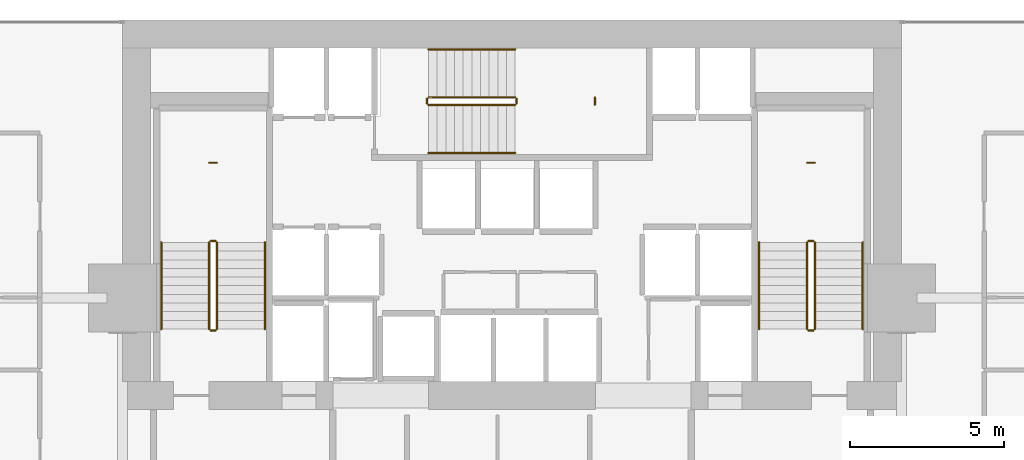
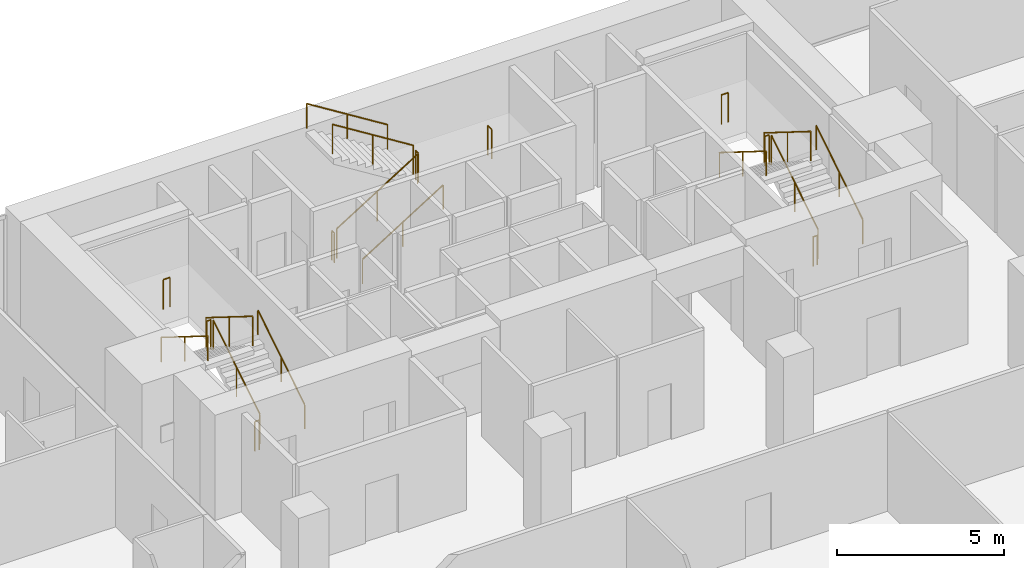
# One storey, part 40 of 40: 21 railings.
"""IFC4 building model written with IfcOpenShell, lengths in metres."""

import ifcopenshell
import ifcopenshell.guid

model = None  # the IFC model being written
_history = None  # IfcOwnerHistory: only IFC2X3 demands one
_inside = {}  # id of a spatial element -> (the spatial element, [elements in it])
_under = {}  # id of a project, library or spatial element -> (it, [spatial elements below it])
_declared = {}  # id of a project -> (the project, [libraries it declares])
_typed = {}  # id of a type object -> (the type object, [elements of that type])
_made_of = {}  # id of a material, layer set ... -> (it, [elements and type objects made of it])


def new_model(schema):
    """Start an empty IFC model of exactly this schema.

    Asked for "IFC4X3", IfcOpenShell would pick the latest addendum, in which some entities
    have other attributes; the version numbers below select the first issue.
    IFC2X3 requires an IfcOwnerHistory on every rooted entity: one is made here for all.
    """
    global model, _history
    if schema == "IFC4X3":
        model = ifcopenshell.file(schema_version=(4, 3, 0, 0))
    else:
        model = ifcopenshell.file(schema=schema)
    _inside.clear()
    _under.clear()
    _declared.clear()
    _typed.clear()
    _made_of.clear()
    _history = None
    if model.schema == "IFC2X3":
        org = make("IfcOrganization", Name="unknown")
        user = make(
            "IfcPersonAndOrganization",
            ThePerson=make("IfcPerson", FamilyName="unknown"),
            TheOrganization=org,
        )
        app = make(
            "IfcApplication",
            ApplicationDeveloper=org,
            Version="unknown",
            ApplicationFullName="unknown",
            ApplicationIdentifier="unknown",
        )
        _history = make(
            "IfcOwnerHistory",
            OwningUser=user,
            OwningApplication=app,
            ChangeAction="ADDED",
            CreationDate=0,
        )
    return model


def make(cls, **values):
    """One entity of the class cls with the attributes given. An attribute that is None is left unset."""
    return model.create_entity(
        cls, **{name: value for name, value in values.items() if value is not None}
    )


def rooted(cls, **values):
    """An entity with a GlobalId (a new one), such as an element, a storey or a relation."""
    return make(cls, GlobalId=ifcopenshell.guid.new(), OwnerHistory=_history, **values)


def si_unit(unit_type, name, prefix=None):
    """IfcSIUnit, for example si_unit("LENGTHUNIT", "METRE", prefix="MILLI")."""
    return make("IfcSIUnit", UnitType=unit_type, Prefix=prefix, Name=name)


def assignment(units):
    """IfcUnitAssignment: the units of a project."""
    return None if units is None else make("IfcUnitAssignment", Units=units)


def point(xyz):
    """IfcCartesianPoint."""
    return None if xyz is None else make("IfcCartesianPoint", Coordinates=xyz)


def direction(xyz):
    """IfcDirection."""
    return None if xyz is None else make("IfcDirection", DirectionRatios=xyz)


def frame(location, z_axis=None, x_axis=None):
    """IfcAxis2Placement3D, a coordinate frame: its origin and axes. An axis left out is left unset."""
    return make(
        "IfcAxis2Placement3D",
        Location=point(location),
        Axis=direction(z_axis),
        RefDirection=direction(x_axis),
    )


def frame_2d(location, x_axis=None):
    """IfcAxis2Placement2D, a coordinate frame in the plane: its origin and x axis."""
    return make(
        "IfcAxis2Placement2D", Location=point(location), RefDirection=direction(x_axis)
    )


def origin():
    """The frame at (0, 0, 0) with its axes left unset."""
    return frame((0.0, 0.0, 0.0))


def origin_2d():
    """The frame at (0, 0) in the plane with its x axis left unset."""
    return frame_2d((0.0, 0.0))


def place(relative_to, where):
    """IfcLocalPlacement: puts the frame where relative to a parent placement (None: the world)."""
    return make(
        "IfcLocalPlacement", PlacementRelTo=relative_to, RelativePlacement=where
    )


def context(
    kind, dimensions, precision=None, world=None, true_north=None, identifier=None
):
    """IfcGeometricRepresentationContext, for example the 3D "Model" context."""
    return make(
        "IfcGeometricRepresentationContext",
        ContextIdentifier=identifier,
        ContextType=kind,
        CoordinateSpaceDimension=dimensions,
        Precision=precision,
        WorldCoordinateSystem=world,
        TrueNorth=true_north,
    )


def subcontext(parent, identifier, kind, view, scale=None):
    """IfcGeometricRepresentationSubContext, for example "Body" below "Model"."""
    return make(
        "IfcGeometricRepresentationSubContext",
        ContextIdentifier=identifier,
        ContextType=kind,
        ParentContext=parent,
        TargetScale=scale,
        TargetView=view,
    )


def project(units=None, contexts=None):
    """IfcProject with its units and contexts."""
    return rooted(
        "IfcProject",
        Name="project",
        RepresentationContexts=contexts,
        UnitsInContext=assignment(units),
    )


def spatial(cls, under=None, at=None, **own):
    """A site, building, storey or space (cls), placed at a placement, below another one or the project."""
    s = rooted(cls, ObjectPlacement=at, **own)
    if under is not None:
        _under.setdefault(under.id(), (under, []))[1].append(s)
    return s


def profile(cls, at=None, kind="AREA", **sizes):
    """A parametric profile (cls). Its sizes go by their IFC names, for example OverallWidth=200.0."""
    return make(cls, ProfileType=kind, Position=at, **sizes)


def circle(**sizes):
    """IfcCircleProfileDef."""
    return profile("IfcCircleProfileDef", **sizes)


def extrude(swept, where, along, depth):
    """IfcExtrudedAreaSolid: the profile swept, set in the frame where, extruded along a direction by depth."""
    return make(
        "IfcExtrudedAreaSolid",
        SweptArea=swept,
        Position=where,
        ExtrudedDirection=direction(along),
        Depth=depth,
    )


def shape(context_of_items, identifier, shape_type, items):
    """IfcShapeRepresentation: the items that make up one representation, for example the "Body"."""
    return make(
        "IfcShapeRepresentation",
        ContextOfItems=context_of_items,
        RepresentationIdentifier=identifier,
        RepresentationType=shape_type,
        Items=items,
    )


def material(Name=None, Category=None):
    """IfcMaterial."""
    return make("IfcMaterial", Name=Name, Category=Category)


def made_of(thing, what):
    """Note that an element or type object is made of a material, layer set ...; save() writes the relation."""
    if what is not None:
        _made_of.setdefault(what.id(), (what, []))[1].append(thing)
    return thing


def type_object(cls, material=None, **own):
    """A type object (cls), such as IfcWallType, which elements share."""
    return made_of(rooted(cls, **own), material)


def element(
    cls,
    number,
    at=None,
    inside=None,
    cuts=None,
    type_object=None,
    material=None,
    context=None,
    identifier="Body",
    shape_type=None,
    held_by="IfcProductDefinitionShape",
    body=None,
    shapes=None,
    **own,
):
    """One element of the class cls, such as IfcWall. Its Tag is "e" and its number.

    at: its placement. inside: the storey or other place that contains it. cuts: it is an
    opening in that element (IfcRelVoidsElement). A single representation is given by context,
    identifier, shape_type and body (its items); several are given by shapes. held_by: the class
    of the entity that holds the representations. save() writes the other relations.
    """
    e = rooted(cls, Tag="e%d" % number, ObjectPlacement=at, **own)
    if body is not None:
        shapes = [shape(context, identifier, shape_type, body)]
    if shapes is not None:
        e.Representation = make(held_by, Representations=shapes)
    if inside is not None:
        _inside.setdefault(inside.id(), (inside, []))[1].append(e)
    if cuts is not None:
        rooted(
            "IfcRelVoidsElement", RelatingBuildingElement=cuts, RelatedOpeningElement=e
        )
    if type_object is not None:
        _typed.setdefault(type_object.id(), (type_object, []))[1].append(e)
    return made_of(e, material)


def aggregate(whole, parts):
    """IfcRelAggregates: a whole, such as a stair, and the parts it consists of."""
    return rooted("IfcRelAggregates", RelatingObject=whole, RelatedObjects=parts)


def save(model, path):
    """Write the relations noted so far, then the file.

    IfcRelAggregates (storeys below a building ...), IfcRelContainedInSpatialStructure (elements
    in a storey), IfcRelDefinesByType, IfcRelAssociatesMaterial and IfcRelDeclares: one each for
    every whole, place, type object, material and project.
    """
    for whole, parts in _under.values():
        aggregate(whole, parts)
    for where, things in _inside.values():
        rooted(
            "IfcRelContainedInSpatialStructure",
            RelatedElements=things,
            RelatingStructure=where,
        )
    for kind, things in _typed.values():
        rooted("IfcRelDefinesByType", RelatedObjects=things, RelatingType=kind)
    for what, things in _made_of.values():
        rooted("IfcRelAssociatesMaterial", RelatedObjects=things, RelatingMaterial=what)
    for by, libraries in _declared.values():
        rooted("IfcRelDeclares", RelatingContext=by, RelatedDefinitions=libraries)
    model.write(path)


model = new_model("IFC4")

# Units and contexts
model_context = context("Model", 3, precision=1e-05, world=origin(), true_north=direction((0.0, 1.0)))
body_context = subcontext(model_context, "Body", "Model", "MODEL_VIEW")
ifc_project = project(units=[si_unit("LENGTHUNIT", "METRE"), si_unit("AREAUNIT", "SQUARE_METRE"), si_unit("VOLUMEUNIT", "CUBIC_METRE"), si_unit("PLANEANGLEUNIT", "RADIAN"), si_unit("MASSUNIT", "GRAM", prefix="KILO")], contexts=[model_context])

# Site, building, storey
site_placement = place(None, origin())
site = spatial("IfcSite", under=ifc_project, at=site_placement, CompositionType="ELEMENT")
building_placement = place(site_placement, origin())
building = spatial("IfcBuilding", under=site, at=building_placement, Name="Maruvema Waterfront Hotel and Observation Tower", CompositionType="ELEMENT")
storey_placement = place(building_placement, frame((0.0, 0.0, 38.5)))
storey = spatial("IfcBuildingStorey", under=building, at=storey_placement, Name="L08", CompositionType="ELEMENT", Elevation=38.5)

# Railings
ifc_material_1 = material(Name="Brushed stainless steel Grade 316", Category="steel")
railing_type_1 = type_object("IfcRailingType", Name="Ramp Continuous Wall Handrail 920 mm", PredefinedType="HANDRAIL", material=ifc_material_1)
railing_1_placement = place(storey_placement, frame((29.800048828125, 44.0, 0.175048828125)))
element("IfcRailing", 1, at=railing_1_placement, inside=storey, type_object=railing_type_1, Name="L08 ST-01 stair handrail 1", PredefinedType="HANDRAIL", context=body_context, shape_type="SweptSolid", body=[
    extrude(circle(Radius=0.02392578125, at=origin_2d()), frame((0.0, 0.0, 0.89599609375), z_axis=(0.0, 0.848002457836, 0.529992293815), x_axis=(-1.0, 0.0, 0.0)), (0.0, 0.0, 1.0), 3.302001953125),
    extrude(circle(Radius=0.02099609375, at=origin_2d()), origin(), (0.0, 0.0, 1.0), 0.871826171875),
    extrude(circle(Radius=0.02099609375, at=origin_2d()), frame((0.0, 1.39990234375, 0.875)), (0.0, 0.0, 1.0), 0.871826171875),
    extrude(circle(Radius=0.02099609375, at=origin_2d()), frame((0.0, 2.800048828125, 1.75)), (0.0, 0.0, 1.0), 0.871826171875),
])
railing_2_placement = place(storey_placement, frame((26.449951171875, 46.800048828125, 2.10009765625)))
element("IfcRailing", 2, at=railing_2_placement, inside=storey, type_object=railing_type_1, Name="L08 ST-01 stair handrail 2", PredefinedType="HANDRAIL", context=body_context, shape_type="SweptSolid", body=[
    extrude(circle(Radius=0.02392578125, at=origin_2d()), frame((0.0, 0.0, 0.89599609375), z_axis=(0.0, -0.848002457836, 0.529992293815), x_axis=(1.0, 0.0, 0.0)), (0.0, 0.0, 1.0), 3.302001953125),
    extrude(circle(Radius=0.02099609375, at=origin_2d()), origin(), (0.0, 0.0, 1.0), 0.871826171875),
    extrude(circle(Radius=0.02099609375, at=origin_2d()), frame((0.0, -1.39990234375, 0.875)), (0.0, 0.0, 1.0), 0.871826171875),
    extrude(circle(Radius=0.02099609375, at=origin_2d()), frame((0.0, -2.800048828125, 1.75)), (0.0, 0.0, 1.0), 0.871826171875),
])
railing_3_placement = place(storey_placement, frame((35.10009765625, 49.699951171875, 0.175048828125)))
element("IfcRailing", 3, at=railing_3_placement, inside=storey, type_object=railing_type_1, Name="L08 ST-02 stair handrail 1", PredefinedType="HANDRAIL", context=body_context, shape_type="SweptSolid", body=[
    extrude(circle(Radius=0.02392578125, at=origin_2d()), frame((0.0, 0.0, 0.89599609375), z_axis=(0.847981687118, 0.0, 0.530025526095), x_axis=(0.0, 1.0, 0.0)), (0.0, 0.0, 1.0), 3.3017578125),
    extrude(circle(Radius=0.02099609375, at=origin_2d()), origin(), (0.0, 0.0, 1.0), 0.871826171875),
    extrude(circle(Radius=0.02099609375, at=origin_2d()), frame((1.39990234375, 0.0, 0.875)), (0.0, 0.0, 1.0), 0.871826171875),
    extrude(circle(Radius=0.02099609375, at=origin_2d()), frame((2.7998046875, 0.0, 1.75)), (0.0, 0.0, 1.0), 0.871826171875),
])
railing_4_placement = place(storey_placement, frame((37.89990234375, 53.050048828125, 2.10009765625)))
element("IfcRailing", 4, at=railing_4_placement, inside=storey, type_object=railing_type_1, Name="L08 ST-02 stair handrail 2", PredefinedType="HANDRAIL", context=body_context, shape_type="SweptSolid", body=[
    extrude(circle(Radius=0.02392578125, at=origin_2d()), frame((0.0, 0.0, 0.89599609375), z_axis=(-0.847981687118, 0.0, 0.530025526095), x_axis=(0.0, -1.0, 0.0)), (0.0, 0.0, 1.0), 3.3017578125),
    extrude(circle(Radius=0.02099609375, at=origin_2d()), origin(), (0.0, 0.0, 1.0), 0.871826171875),
    extrude(circle(Radius=0.02099609375, at=origin_2d()), frame((-1.39990234375, 0.0, 0.875)), (0.0, 0.0, 1.0), 0.871826171875),
    extrude(circle(Radius=0.02099609375, at=origin_2d()), frame((-2.7998046875, 0.0, 1.75)), (0.0, 0.0, 1.0), 0.871826171875),
])
railing_5_placement = place(storey_placement, frame((49.14990234375, 44.0, 0.175048828125)))
element("IfcRailing", 5, at=railing_5_placement, inside=storey, type_object=railing_type_1, Name="L08 ST-03 stair handrail 1", PredefinedType="HANDRAIL", context=body_context, shape_type="SweptSolid", body=[
    extrude(circle(Radius=0.02392578125, at=origin_2d()), frame((0.0, 0.0, 0.89599609375), z_axis=(0.0, 0.848002457836, 0.529992293815), x_axis=(-1.0, 0.0, 0.0)), (0.0, 0.0, 1.0), 3.302001953125),
    extrude(circle(Radius=0.02099609375, at=origin_2d()), origin(), (0.0, 0.0, 1.0), 0.871826171875),
    extrude(circle(Radius=0.02099609375, at=origin_2d()), frame((0.0, 1.39990234375, 0.875)), (0.0, 0.0, 1.0), 0.871826171875),
    extrude(circle(Radius=0.02099609375, at=origin_2d()), frame((0.0, 2.800048828125, 1.75)), (0.0, 0.0, 1.0), 0.871826171875),
])
railing_6_placement = place(storey_placement, frame((45.800048828125, 46.800048828125, 2.10009765625)))
element("IfcRailing", 6, at=railing_6_placement, inside=storey, type_object=railing_type_1, Name="L08 ST-03 stair handrail 2", PredefinedType="HANDRAIL", context=body_context, shape_type="SweptSolid", body=[
    extrude(circle(Radius=0.02392578125, at=origin_2d()), frame((0.0, 0.0, 0.89599609375), z_axis=(0.0, -0.848002457836, 0.529992293815), x_axis=(1.0, 0.0, 0.0)), (0.0, 0.0, 1.0), 3.302001953125),
    extrude(circle(Radius=0.02099609375, at=origin_2d()), origin(), (0.0, 0.0, 1.0), 0.871826171875),
    extrude(circle(Radius=0.02099609375, at=origin_2d()), frame((0.0, -1.39990234375, 0.875)), (0.0, 0.0, 1.0), 0.871826171875),
    extrude(circle(Radius=0.02099609375, at=origin_2d()), frame((0.0, -2.800048828125, 1.75)), (0.0, 0.0, 1.0), 0.871826171875),
])
ifc_material_2 = material(Name="Brushed stainless steel Grade 316", Category="steel")
railing_type_2 = type_object("IfcRailingType", Name="Ramp and Terrace Guard Balustrade 1100 mm", PredefinedType="BALUSTRADE", material=ifc_material_2)
railing_7_placement = place(storey_placement, frame((28.25, 44.0, 0.175048828125)))
element("IfcRailing", 7, at=railing_7_placement, inside=storey, type_object=railing_type_2, Name="L08 ST-01 stair guard 1", PredefinedType="BALUSTRADE", context=body_context, shape_type="SweptSolid", body=[
    extrude(circle(Radius=0.02392578125, at=origin_2d()), frame((0.0, 0.0, 1.076171875), z_axis=(0.0, 0.848002457836, 0.529992293815), x_axis=(-1.0, 0.0, 0.0)), (0.0, 0.0, 1.0), 3.302001953125),
    extrude(circle(Radius=0.02099609375, at=origin_2d()), origin(), (0.0, 0.0, 1.0), 1.052001953125),
    extrude(circle(Radius=0.02099609375, at=origin_2d()), frame((0.0, 1.39990234375, 0.875)), (0.0, 0.0, 1.0), 1.052001953125),
    extrude(circle(Radius=0.02099609375, at=origin_2d()), frame((0.0, 2.800048828125, 1.75)), (0.0, 0.0, 1.0), 1.052001953125),
])
railing_8_placement = place(storey_placement, frame((28.199951171875, 46.85009765625, 1.925048828125)))
element("IfcRailing", 8, at=railing_8_placement, inside=storey, type_object=railing_type_2, Name="L08 ST-01 stair guard 2", PredefinedType="BALUSTRADE", context=body_context, shape_type="SweptSolid", body=[
    extrude(circle(Radius=0.02392578125, at=origin_2d()), frame((0.0, 0.0, 1.076171875), z_axis=(-1.0, 0.0, 0.0), x_axis=(0.0, -1.0, 0.0)), (0.0, 0.0, 1.0), 0.14990234375),
    extrude(circle(Radius=0.02099609375, at=origin_2d()), origin(), (0.0, 0.0, 1.0), 1.052001953125),
    extrude(circle(Radius=0.02099609375, at=origin_2d()), frame((-0.14990234375, 0.0, 0.0)), (0.0, 0.0, 1.0), 1.052001953125),
])
railing_9_placement = place(storey_placement, frame((28.0, 46.800048828125, 2.10009765625)))
element("IfcRailing", 9, at=railing_9_placement, inside=storey, type_object=railing_type_2, Name="L08 ST-01 stair guard 3", PredefinedType="BALUSTRADE", context=body_context, shape_type="SweptSolid", body=[
    extrude(circle(Radius=0.02392578125, at=origin_2d()), frame((0.0, 0.0, 1.076171875), z_axis=(0.0, -0.848002457836, 0.529992293815), x_axis=(1.0, 0.0, 0.0)), (0.0, 0.0, 1.0), 3.302001953125),
    extrude(circle(Radius=0.02099609375, at=origin_2d()), origin(), (0.0, 0.0, 1.0), 1.052001953125),
    extrude(circle(Radius=0.02099609375, at=origin_2d()), frame((0.0, -1.39990234375, 0.875)), (0.0, 0.0, 1.0), 1.052001953125),
    extrude(circle(Radius=0.02099609375, at=origin_2d()), frame((0.0, -2.800048828125, 1.75)), (0.0, 0.0, 1.0), 1.052001953125),
])
railing_10_placement = place(storey_placement, frame((28.199951171875, 43.949951171875, 0.0)))
element("IfcRailing", 10, at=railing_10_placement, inside=storey, type_object=railing_type_2, Name="L08 ST-01 stair guard 4", PredefinedType="BALUSTRADE", context=body_context, shape_type="SweptSolid", body=[
    extrude(circle(Radius=0.02392578125, at=origin_2d()), frame((0.0, 0.0, 1.076171875), z_axis=(-1.0, 0.0, 0.0), x_axis=(0.0, -1.0, 0.0)), (0.0, 0.0, 1.0), 0.14990234375),
    extrude(circle(Radius=0.02099609375, at=origin_2d()), origin(), (0.0, 0.0, 1.0), 1.052001953125),
    extrude(circle(Radius=0.02099609375, at=origin_2d()), frame((-0.14990234375, 0.0, 0.0)), (0.0, 0.0, 1.0), 1.052001953125),
])
railing_11_placement = place(storey_placement, frame((28.239990234375, 49.3798828125, 1.925048828125)))
element("IfcRailing", 11, at=railing_11_placement, inside=storey, type_object=railing_type_2, Name="L08 ST-01 Half-Landing Slot Guard", PredefinedType="BALUSTRADE", context=body_context, shape_type="SweptSolid", body=[
    extrude(circle(Radius=0.02392578125, at=origin_2d()), frame((0.0, 0.0, 1.076171875), z_axis=(-1.0, 0.0, 0.0), x_axis=(0.0, -1.0, 0.0)), (0.0, 0.0, 1.0), 0.22998046875),
    extrude(circle(Radius=0.02099609375, at=origin_2d()), origin(), (0.0, 0.0, 1.0), 1.052001953125),
    extrude(circle(Radius=0.02099609375, at=origin_2d()), frame((-0.22998046875, 0.0, 0.0)), (0.0, 0.0, 1.0), 1.052001953125),
])
railing_12_placement = place(storey_placement, frame((35.10009765625, 51.25, 0.175048828125)))
element("IfcRailing", 12, at=railing_12_placement, inside=storey, type_object=railing_type_2, Name="L08 ST-02 stair guard 1", PredefinedType="BALUSTRADE", context=body_context, shape_type="SweptSolid", body=[
    extrude(circle(Radius=0.02392578125, at=origin_2d()), frame((0.0, 0.0, 1.076171875), z_axis=(0.847981687118, 0.0, 0.530025526095), x_axis=(0.0, 1.0, 0.0)), (0.0, 0.0, 1.0), 3.3017578125),
    extrude(circle(Radius=0.02099609375, at=origin_2d()), origin(), (0.0, 0.0, 1.0), 1.052001953125),
    extrude(circle(Radius=0.02099609375, at=origin_2d()), frame((1.39990234375, 0.0, 0.875)), (0.0, 0.0, 1.0), 1.052001953125),
    extrude(circle(Radius=0.02099609375, at=origin_2d()), frame((2.7998046875, 0.0, 1.75)), (0.0, 0.0, 1.0), 1.052001953125),
])
railing_13_placement = place(storey_placement, frame((37.949951171875, 51.300048828125, 1.925048828125)))
element("IfcRailing", 13, at=railing_13_placement, inside=storey, type_object=railing_type_2, Name="L08 ST-02 stair guard 2", PredefinedType="BALUSTRADE", context=body_context, shape_type="SweptSolid", body=[
    extrude(circle(Radius=0.02392578125, at=origin_2d()), frame((0.0, 0.0, 1.076171875), z_axis=(0.0, 1.0, 0.0), x_axis=(-1.0, 0.0, 0.0)), (0.0, 0.0, 1.0), 0.14990234375),
    extrude(circle(Radius=0.02099609375, at=origin_2d()), origin(), (0.0, 0.0, 1.0), 1.052001953125),
    extrude(circle(Radius=0.02099609375, at=origin_2d()), frame((0.0, 0.14990234375, 0.0)), (0.0, 0.0, 1.0), 1.052001953125),
])
railing_14_placement = place(storey_placement, frame((37.89990234375, 51.5, 2.10009765625)))
element("IfcRailing", 14, at=railing_14_placement, inside=storey, type_object=railing_type_2, Name="L08 ST-02 stair guard 3", PredefinedType="BALUSTRADE", context=body_context, shape_type="SweptSolid", body=[
    extrude(circle(Radius=0.02392578125, at=origin_2d()), frame((0.0, 0.0, 1.076171875), z_axis=(-0.847981687118, 0.0, 0.530025526095), x_axis=(0.0, -1.0, 0.0)), (0.0, 0.0, 1.0), 3.3017578125),
    extrude(circle(Radius=0.02099609375, at=origin_2d()), origin(), (0.0, 0.0, 1.0), 1.052001953125),
    extrude(circle(Radius=0.02099609375, at=origin_2d()), frame((-1.39990234375, 0.0, 0.875)), (0.0, 0.0, 1.0), 1.052001953125),
    extrude(circle(Radius=0.02099609375, at=origin_2d()), frame((-2.7998046875, 0.0, 1.75)), (0.0, 0.0, 1.0), 1.052001953125),
])
railing_15_placement = place(storey_placement, frame((35.050048828125, 51.300048828125, 0.0)))
element("IfcRailing", 15, at=railing_15_placement, inside=storey, type_object=railing_type_2, Name="L08 ST-02 stair guard 4", PredefinedType="BALUSTRADE", context=body_context, shape_type="SweptSolid", body=[
    extrude(circle(Radius=0.02392578125, at=origin_2d()), frame((0.0, 0.0, 1.076171875), z_axis=(0.0, 1.0, 0.0), x_axis=(-1.0, 0.0, 0.0)), (0.0, 0.0, 1.0), 0.14990234375),
    extrude(circle(Radius=0.02099609375, at=origin_2d()), origin(), (0.0, 0.0, 1.0), 1.052001953125),
    extrude(circle(Radius=0.02099609375, at=origin_2d()), frame((0.0, 0.14990234375, 0.0)), (0.0, 0.0, 1.0), 1.052001953125),
])
railing_16_placement = place(storey_placement, frame((40.47998046875, 51.260009765625, 1.925048828125)))
element("IfcRailing", 16, at=railing_16_placement, inside=storey, type_object=railing_type_2, Name="L08 ST-02 Half-Landing Slot Guard", PredefinedType="BALUSTRADE", context=body_context, shape_type="SweptSolid", body=[
    extrude(circle(Radius=0.02392578125, at=origin_2d()), frame((0.0, 0.0, 1.076171875), z_axis=(0.0, 1.0, 0.0), x_axis=(-1.0, 0.0, 0.0)), (0.0, 0.0, 1.0), 0.22998046875),
    extrude(circle(Radius=0.02099609375, at=origin_2d()), origin(), (0.0, 0.0, 1.0), 1.052001953125),
    extrude(circle(Radius=0.02099609375, at=origin_2d()), frame((0.0, 0.22998046875, 0.0)), (0.0, 0.0, 1.0), 1.052001953125),
])
railing_17_placement = place(storey_placement, frame((47.60009765625, 44.0, 0.175048828125)))
element("IfcRailing", 17, at=railing_17_placement, inside=storey, type_object=railing_type_2, Name="L08 ST-03 stair guard 1", PredefinedType="BALUSTRADE", context=body_context, shape_type="SweptSolid", body=[
    extrude(circle(Radius=0.02392578125, at=origin_2d()), frame((0.0, 0.0, 1.076171875), z_axis=(0.0, 0.848002457836, 0.529992293815), x_axis=(-1.0, 0.0, 0.0)), (0.0, 0.0, 1.0), 3.302001953125),
    extrude(circle(Radius=0.02099609375, at=origin_2d()), origin(), (0.0, 0.0, 1.0), 1.052001953125),
    extrude(circle(Radius=0.02099609375, at=origin_2d()), frame((0.0, 1.39990234375, 0.875)), (0.0, 0.0, 1.0), 1.052001953125),
    extrude(circle(Radius=0.02099609375, at=origin_2d()), frame((0.0, 2.800048828125, 1.75)), (0.0, 0.0, 1.0), 1.052001953125),
])
railing_18_placement = place(storey_placement, frame((47.550048828125, 46.85009765625, 1.925048828125)))
element("IfcRailing", 18, at=railing_18_placement, inside=storey, type_object=railing_type_2, Name="L08 ST-03 stair guard 2", PredefinedType="BALUSTRADE", context=body_context, shape_type="SweptSolid", body=[
    extrude(circle(Radius=0.02392578125, at=origin_2d()), frame((0.0, 0.0, 1.076171875), z_axis=(-1.0, 0.0, 0.0), x_axis=(0.0, -1.0, 0.0)), (0.0, 0.0, 1.0), 0.150146484375),
    extrude(circle(Radius=0.02099609375, at=origin_2d()), origin(), (0.0, 0.0, 1.0), 1.052001953125),
    extrude(circle(Radius=0.02099609375, at=origin_2d()), frame((-0.150146484375, 0.0, 0.0)), (0.0, 0.0, 1.0), 1.052001953125),
])
railing_19_placement = place(storey_placement, frame((47.35009765625, 46.800048828125, 2.10009765625)))
element("IfcRailing", 19, at=railing_19_placement, inside=storey, type_object=railing_type_2, Name="L08 ST-03 stair guard 3", PredefinedType="BALUSTRADE", context=body_context, shape_type="SweptSolid", body=[
    extrude(circle(Radius=0.02392578125, at=origin_2d()), frame((0.0, 0.0, 1.076171875), z_axis=(0.0, -0.848002457836, 0.529992293815), x_axis=(1.0, 0.0, 0.0)), (0.0, 0.0, 1.0), 3.302001953125),
    extrude(circle(Radius=0.02099609375, at=origin_2d()), origin(), (0.0, 0.0, 1.0), 1.052001953125),
    extrude(circle(Radius=0.02099609375, at=origin_2d()), frame((0.0, -1.39990234375, 0.875)), (0.0, 0.0, 1.0), 1.052001953125),
    extrude(circle(Radius=0.02099609375, at=origin_2d()), frame((0.0, -2.800048828125, 1.75)), (0.0, 0.0, 1.0), 1.052001953125),
])
railing_20_placement = place(storey_placement, frame((47.550048828125, 43.949951171875, 0.0)))
element("IfcRailing", 20, at=railing_20_placement, inside=storey, type_object=railing_type_2, Name="L08 ST-03 stair guard 4", PredefinedType="BALUSTRADE", context=body_context, shape_type="SweptSolid", body=[
    extrude(circle(Radius=0.02392578125, at=origin_2d()), frame((0.0, 0.0, 1.076171875), z_axis=(-1.0, 0.0, 0.0), x_axis=(0.0, -1.0, 0.0)), (0.0, 0.0, 1.0), 0.150146484375),
    extrude(circle(Radius=0.02099609375, at=origin_2d()), origin(), (0.0, 0.0, 1.0), 1.052001953125),
    extrude(circle(Radius=0.02099609375, at=origin_2d()), frame((-0.150146484375, 0.0, 0.0)), (0.0, 0.0, 1.0), 1.052001953125),
])
railing_21_placement = place(storey_placement, frame((47.590087890625, 49.3798828125, 1.925048828125)))
element("IfcRailing", 21, at=railing_21_placement, inside=storey, type_object=railing_type_2, Name="L08 ST-03 Half-Landing Slot Guard", PredefinedType="BALUSTRADE", context=body_context, shape_type="SweptSolid", body=[
    extrude(circle(Radius=0.02392578125, at=origin_2d()), frame((0.0, 0.0, 1.076171875), z_axis=(-1.0, 0.0, 0.0), x_axis=(0.0, -1.0, 0.0)), (0.0, 0.0, 1.0), 0.22998046875),
    extrude(circle(Radius=0.02099609375, at=origin_2d()), origin(), (0.0, 0.0, 1.0), 1.052001953125),
    extrude(circle(Radius=0.02099609375, at=origin_2d()), frame((-0.22998046875, 0.0, 0.0)), (0.0, 0.0, 1.0), 1.052001953125),
])

save(model, "model.ifc")
